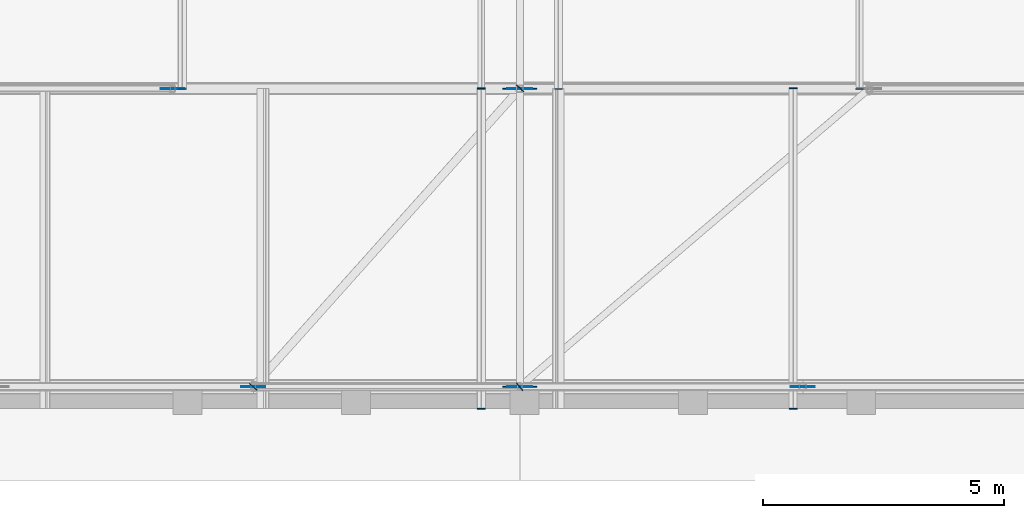
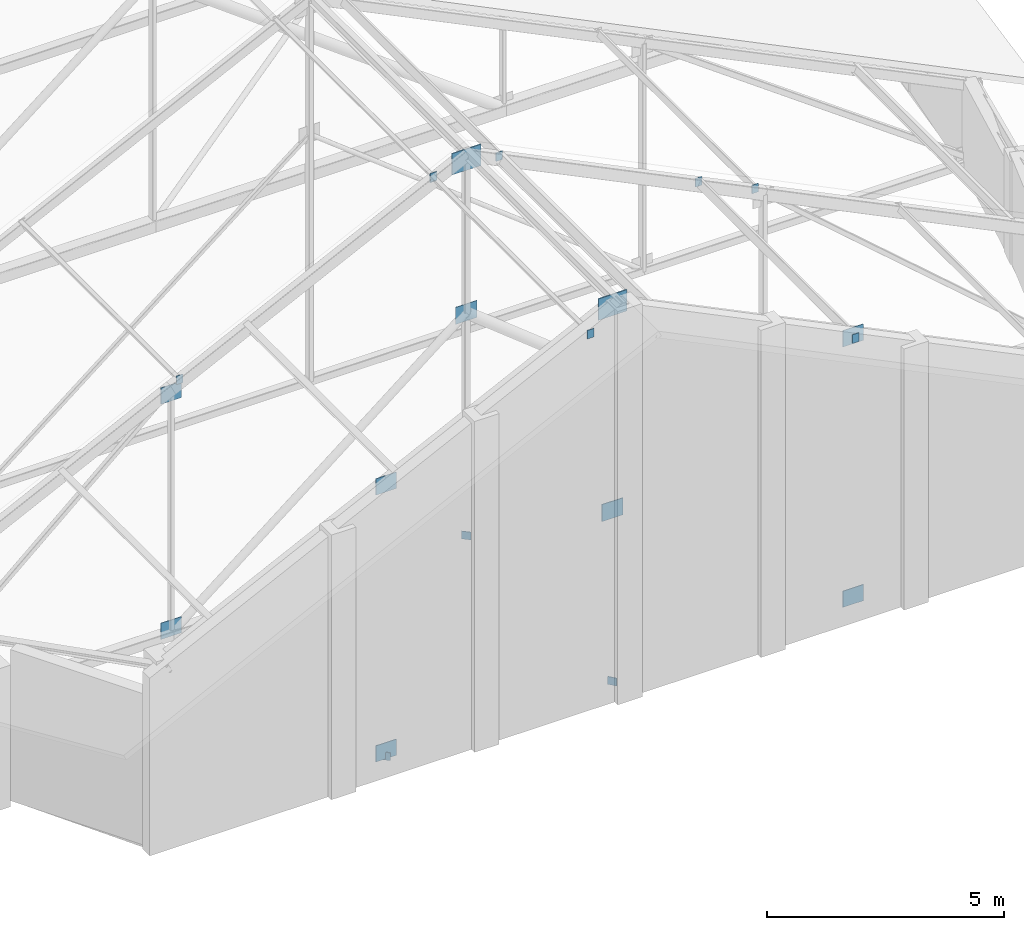
# One storey, part 51 of 78: 21 plates.
"""IFC4 building model written with IfcOpenShell, lengths in metres."""

from ifc_helpers import new_model, si_unit, direction, frame, origin, origin_2d, place, context, subcontext, project, spatial, rectangle, extrude, material, layer, layer_set, type_object, element, save


model = new_model("IFC4")

# Units and contexts
model_context = context("Model", 3, precision=1e-05, world=origin(), true_north=direction((0.0, 1.0)))
body_context = subcontext(model_context, "Body", "Model", "MODEL_VIEW")
ifc_project = project(units=[si_unit("LENGTHUNIT", "METRE"), si_unit("AREAUNIT", "SQUARE_METRE"), si_unit("VOLUMEUNIT", "CUBIC_METRE"), si_unit("PLANEANGLEUNIT", "RADIAN"), si_unit("MASSUNIT", "GRAM", prefix="KILO")], contexts=[model_context])

# Site, building, storey
site_placement = place(None, origin())
site = spatial("IfcSite", under=ifc_project, at=site_placement, CompositionType="ELEMENT")
building_placement = place(site_placement, origin())
building = spatial("IfcBuilding", under=site, at=building_placement, Name="Kelanivale Promenade Academy", CompositionType="ELEMENT")
storey_placement = place(building_placement, frame((0.0, 0.0, 16.199951171875)))
storey = spatial("IfcBuildingStorey", under=building, at=storey_placement, Name="L04", CompositionType="ELEMENT", Elevation=16.199951171875)

# Plates
ifc_material = material(Name="Steel S355", Category="steel")
ifc_layer_1 = layer(ifc_material, 0.01611328125)
ifc_layer_set_1 = layer_set([ifc_layer_1], Name="Steel S355")
plate_type_1 = type_object("IfcPlateType", Name="TN-CP16 Plate 16mm", PredefinedType="USERDEFINED", material=ifc_layer_set_1)
for number, where, z_axis, x_axis, name in (
    (1, (138.39990234375, 32.991943359375, 9.60498046875), (0.0, 0.0, 1.0), (0.0, -1.0, 0.0), "ROOF TRUSS TN-4 hollow-section end cap plate"),
    (2, (138.39990234375, 39.636962890625, 9.60498046875), (0.0, 0.0, 1.0), (0.0, 1.0, 0.0), "ROOF TRUSS TN-4 hollow-section end cap plate"),
    (3, (144.868896484375, 32.991943359375, 7.22705078125), (0.0, 0.0, 1.0), (0.0, -1.0, 0.0), "ROOF TRUSS TN-4 hollow-section end cap plate"),
    (4, (144.868896484375, 39.636962890625, 7.22705078125), (0.0, 0.0, 1.0), (0.0, 1.0, 0.0), "ROOF TRUSS TN-4 hollow-section end cap plate"),
):
    element("IfcPlate", number, at=place(storey_placement, frame(where, z_axis=z_axis, x_axis=x_axis)), inside=storey, type_object=plate_type_1, Name=name, ObjectType="CAP PLATE", PredefinedType="USERDEFINED", context=body_context, shape_type="SweptSolid", body=[
        extrude(rectangle(XDim=0.01611328125, YDim=0.159912109375, at=origin_2d()), origin(), (0.0, 0.0, 1.0), 0.219970703125),
    ])
for number, where, z_axis, x_axis, name in (
    (5, (133.669921875, 33.444091796875, 0.10009765625), (0.0, 0.0, 1.0), (-0.666532470249, -0.745475999683, 0.0), "ROOF TRUSS TN-3 hollow-section end cap plate"),
    (6, (139.205078125, 39.635009765625, 0.10009765625), (0.0, 0.0, 1.0), (0.666532470249, 0.745475999683, 0.0), "ROOF TRUSS TN-3 hollow-section end cap plate"),
    (7, (139.194091796875, 33.445068359375, 0.10009765625), (0.0, 0.0, 1.0), (-0.760859180527, -0.648917026597, 0.0), "ROOF TRUSS TN-3 hollow-section end cap plate"),
):
    element("IfcPlate", number, at=place(storey_placement, frame(where, z_axis=z_axis, x_axis=x_axis)), inside=storey, type_object=plate_type_1, Name=name, ObjectType="CAP PLATE", PredefinedType="USERDEFINED", context=body_context, shape_type="SweptSolid", body=[
        extrude(rectangle(XDim=0.01611328125, YDim=0.199951171875, at=origin_2d()), origin(), (0.0, 0.0, 1.0), 0.199951171875),
    ])
for number, where, z_axis, x_axis, name in (
    (8, (132.199951171875, 39.62109375, 6.5771484375), (0.0, 0.0, 1.0), (0.0, -1.0, 0.0), "ROOF TRUSS TN-4 hollow-section end cap plate"),
    (9, (138.39990234375, 39.62109375, 9.63330078125), (0.0, 0.0, 1.0), (0.0, -1.0, 0.0), "ROOF TRUSS TN-4 hollow-section end cap plate"),
    (10, (140.0, 39.62109375, 9.60498046875), (0.0, 0.0, 1.0), (0.0, -1.0, 0.0), "ROOF TRUSS TN-4 hollow-section end cap plate"),
    (11, (146.2451171875, 39.62109375, 6.5830078125), (0.0, 0.0, 1.0), (0.0, -1.0, 0.0), "ROOF TRUSS TN-4 hollow-section end cap plate"),
):
    element("IfcPlate", number, at=place(storey_placement, frame(where, z_axis=z_axis, x_axis=x_axis)), inside=storey, type_object=plate_type_1, Name=name, ObjectType="CAP PLATE", PredefinedType="USERDEFINED", context=body_context, shape_type="SweptSolid", body=[
        extrude(rectangle(XDim=0.01611328125, YDim=0.159912109375, at=origin_2d()), origin(), (0.0, 0.0, 1.0), 0.219970703125),
    ])
ifc_layer_2 = layer(ifc_material, 0.01611328125)
ifc_layer_set_2 = layer_set([ifc_layer_2], Name="Steel S355")
plate_type_2 = type_object("IfcPlateType", Name="TN-GP16 Plate 16mm", PredefinedType="USERDEFINED", material=ifc_layer_set_2)
plate_1_placement = place(storey_placement, frame((139.199951171875, 33.449951171875, 4.400146484375), z_axis=(0.0, 0.0, 1.0), x_axis=(1.0, 0.0, 0.0)))
element("IfcPlate", 12, at=plate_1_placement, inside=storey, type_object=plate_type_2, Name="ROOF TRUSS TN-2D welded node gusset plate", ObjectType="GUSSET PLATE", PredefinedType="USERDEFINED", context=body_context, shape_type="SweptSolid", body=[
    extrude(rectangle(XDim=0.52001953125, YDim=0.01611328125, at=origin_2d()), origin(), (0.0, 0.0, 1.0), 0.43994140625),
])
for number, where, z_axis, x_axis, name in (
    (13, (133.675048828125, 33.449951171875, 0.130126953125), (0.0, 0.0, 1.0), (1.0, 0.0, 0.0), "ROOF TRUSS TN-3 welded node gusset plate"),
    (14, (145.069091796875, 33.449951171875, 0.130126953125), (0.0, 0.0, 1.0), (1.0, 0.0, 0.0), "ROOF TRUSS TN-3E welded node gusset plate"),
    (15, (133.675048828125, 33.449951171875, 7.01416015625), (0.0, 0.0, 1.0), (1.0, 0.0, 0.0), "ROOF TRUSS TN-4 welded node gusset plate"),
    (16, (145.069091796875, 33.449951171875, 6.84619140625), (0.0, 0.0, 1.0), (1.0, 0.0, 0.0), "ROOF TRUSS TN-4E welded node gusset plate"),
):
    element("IfcPlate", number, at=place(storey_placement, frame(where, z_axis=z_axis, x_axis=x_axis)), inside=storey, type_object=plate_type_2, Name=name, ObjectType="GUSSET PLATE", PredefinedType="USERDEFINED", context=body_context, shape_type="SweptSolid", body=[
        extrude(rectangle(XDim=0.5, YDim=0.01611328125, at=origin_2d()), origin(), (0.0, 0.0, 1.0), 0.419921875),
    ])
plate_2_placement = place(storey_placement, frame((139.199951171875, 39.62890625, 5.739990234375), z_axis=(0.0, 0.0, 1.0), x_axis=(1.0, 0.0, 0.0)))
element("IfcPlate", 17, at=plate_2_placement, inside=storey, type_object=plate_type_2, Name="ROOF TRUSS TN-2D welded node gusset plate", ObjectType="GUSSET PLATE", PredefinedType="USERDEFINED", context=body_context, shape_type="SweptSolid", body=[
    extrude(rectangle(XDim=0.52001953125, YDim=0.01611328125, at=origin_2d()), origin(), (0.0, 0.0, 1.0), 0.43994140625),
])
for number, where, z_axis, x_axis, name in (
    (18, (132.0, 39.62890625, 0.130126953125), (0.0, 0.0, 1.0), (1.0, 0.0, 0.0), "ROOF TRUSS TN-3 welded node gusset plate"),
    (19, (132.0, 39.62890625, 6.196044921875), (0.0, 0.0, 1.0), (1.0, 0.0, 0.0), "ROOF TRUSS TN-4 welded node gusset plate"),
):
    element("IfcPlate", number, at=place(storey_placement, frame(where, z_axis=z_axis, x_axis=x_axis)), inside=storey, type_object=plate_type_2, Name=name, ObjectType="GUSSET PLATE", PredefinedType="USERDEFINED", context=body_context, shape_type="SweptSolid", body=[
        extrude(rectangle(XDim=0.5, YDim=0.01611328125, at=origin_2d()), origin(), (0.0, 0.0, 1.0), 0.419921875),
    ])
ifc_layer_3 = layer(ifc_material, 0.02490234375)
ifc_layer_set_3 = layer_set([ifc_layer_3], Name="Steel S355")
plate_type_3 = type_object("IfcPlateType", Name="TN-GP25 Plate 25mm", PredefinedType="USERDEFINED", material=ifc_layer_set_3)
for number, where, z_axis, x_axis, name in (
    (20, (139.199951171875, 33.449951171875, 9.626953125), (0.0, 0.0, 1.0), (1.0, 0.0, 0.0), "ROOF TRUSS TN-2 welded node gusset plate"),
    (21, (139.199951171875, 39.62890625, 9.626953125), (0.0, 0.0, 1.0), (1.0, 0.0, 0.0), "ROOF TRUSS TN-2 welded node gusset plate"),
):
    element("IfcPlate", number, at=place(storey_placement, frame(where, z_axis=z_axis, x_axis=x_axis)), inside=storey, type_object=plate_type_3, Name=name, ObjectType="GUSSET PLATE", PredefinedType="USERDEFINED", context=body_context, shape_type="SweptSolid", body=[
        extrude(rectangle(XDim=0.699951171875, YDim=0.02490234375, at=origin_2d()), origin(), (0.0, 0.0, 1.0), 0.550048828125),
    ])

save(model, "model.ifc")
